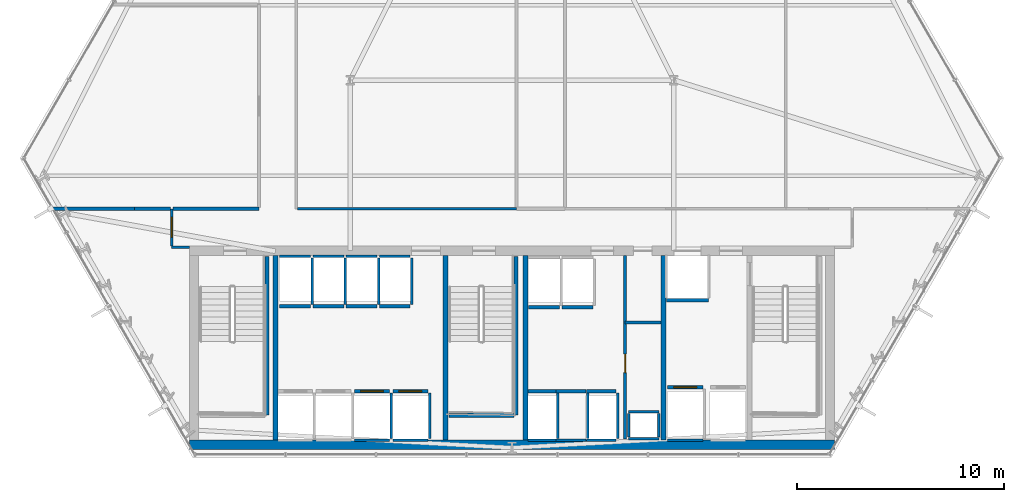
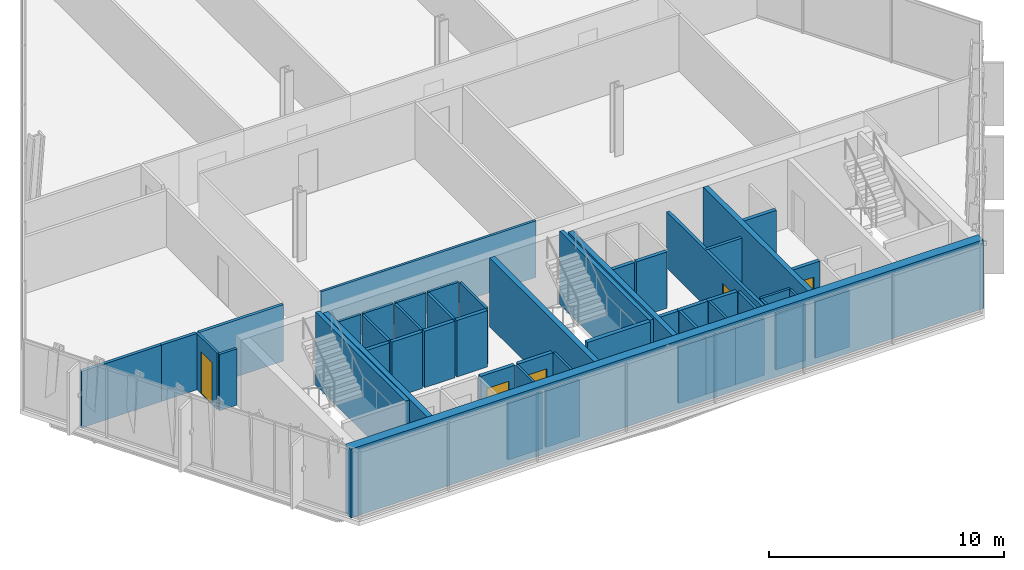
# One storey, part 27 of 33: 52 walls, 5 doors, 5 openings.
"""IFC4 building model written with IfcOpenShell, lengths in metres."""

import ifcopenshell
import ifcopenshell.guid

model = None  # the IFC model being written
_history = None  # IfcOwnerHistory: only IFC2X3 demands one
_inside = {}  # id of a spatial element -> (the spatial element, [elements in it])
_under = {}  # id of a project, library or spatial element -> (it, [spatial elements below it])
_declared = {}  # id of a project -> (the project, [libraries it declares])
_typed = {}  # id of a type object -> (the type object, [elements of that type])
_made_of = {}  # id of a material, layer set ... -> (it, [elements and type objects made of it])


def new_model(schema):
    """Start an empty IFC model of exactly this schema.

    Asked for "IFC4X3", IfcOpenShell would pick the latest addendum, in which some entities
    have other attributes; the version numbers below select the first issue.
    IFC2X3 requires an IfcOwnerHistory on every rooted entity: one is made here for all.
    """
    global model, _history
    if schema == "IFC4X3":
        model = ifcopenshell.file(schema_version=(4, 3, 0, 0))
    else:
        model = ifcopenshell.file(schema=schema)
    _inside.clear()
    _under.clear()
    _declared.clear()
    _typed.clear()
    _made_of.clear()
    _history = None
    if model.schema == "IFC2X3":
        org = make("IfcOrganization", Name="unknown")
        user = make(
            "IfcPersonAndOrganization",
            ThePerson=make("IfcPerson", FamilyName="unknown"),
            TheOrganization=org,
        )
        app = make(
            "IfcApplication",
            ApplicationDeveloper=org,
            Version="unknown",
            ApplicationFullName="unknown",
            ApplicationIdentifier="unknown",
        )
        _history = make(
            "IfcOwnerHistory",
            OwningUser=user,
            OwningApplication=app,
            ChangeAction="ADDED",
            CreationDate=0,
        )
    return model


def make(cls, **values):
    """One entity of the class cls with the attributes given. An attribute that is None is left unset."""
    return model.create_entity(
        cls, **{name: value for name, value in values.items() if value is not None}
    )


def rooted(cls, **values):
    """An entity with a GlobalId (a new one), such as an element, a storey or a relation."""
    return make(cls, GlobalId=ifcopenshell.guid.new(), OwnerHistory=_history, **values)


def si_unit(unit_type, name, prefix=None):
    """IfcSIUnit, for example si_unit("LENGTHUNIT", "METRE", prefix="MILLI")."""
    return make("IfcSIUnit", UnitType=unit_type, Prefix=prefix, Name=name)


def assignment(units):
    """IfcUnitAssignment: the units of a project."""
    return None if units is None else make("IfcUnitAssignment", Units=units)


def point(xyz):
    """IfcCartesianPoint."""
    return None if xyz is None else make("IfcCartesianPoint", Coordinates=xyz)


def direction(xyz):
    """IfcDirection."""
    return None if xyz is None else make("IfcDirection", DirectionRatios=xyz)


def frame(location, z_axis=None, x_axis=None):
    """IfcAxis2Placement3D, a coordinate frame: its origin and axes. An axis left out is left unset."""
    return make(
        "IfcAxis2Placement3D",
        Location=point(location),
        Axis=direction(z_axis),
        RefDirection=direction(x_axis),
    )


def frame_2d(location, x_axis=None):
    """IfcAxis2Placement2D, a coordinate frame in the plane: its origin and x axis."""
    return make(
        "IfcAxis2Placement2D", Location=point(location), RefDirection=direction(x_axis)
    )


def origin():
    """The frame at (0, 0, 0) with its axes left unset."""
    return frame((0.0, 0.0, 0.0))


def place(relative_to, where):
    """IfcLocalPlacement: puts the frame where relative to a parent placement (None: the world)."""
    return make(
        "IfcLocalPlacement", PlacementRelTo=relative_to, RelativePlacement=where
    )


def context(
    kind, dimensions, precision=None, world=None, true_north=None, identifier=None
):
    """IfcGeometricRepresentationContext, for example the 3D "Model" context."""
    return make(
        "IfcGeometricRepresentationContext",
        ContextIdentifier=identifier,
        ContextType=kind,
        CoordinateSpaceDimension=dimensions,
        Precision=precision,
        WorldCoordinateSystem=world,
        TrueNorth=true_north,
    )


def subcontext(parent, identifier, kind, view, scale=None):
    """IfcGeometricRepresentationSubContext, for example "Body" below "Model"."""
    return make(
        "IfcGeometricRepresentationSubContext",
        ContextIdentifier=identifier,
        ContextType=kind,
        ParentContext=parent,
        TargetScale=scale,
        TargetView=view,
    )


def project(units=None, contexts=None):
    """IfcProject with its units and contexts."""
    return rooted(
        "IfcProject",
        Name="project",
        RepresentationContexts=contexts,
        UnitsInContext=assignment(units),
    )


def spatial(cls, under=None, at=None, **own):
    """A site, building, storey or space (cls), placed at a placement, below another one or the project."""
    s = rooted(cls, ObjectPlacement=at, **own)
    if under is not None:
        _under.setdefault(under.id(), (under, []))[1].append(s)
    return s


def profile(cls, at=None, kind="AREA", **sizes):
    """A parametric profile (cls). Its sizes go by their IFC names, for example OverallWidth=200.0."""
    return make(cls, ProfileType=kind, Position=at, **sizes)


def rectangle(**sizes):
    """IfcRectangleProfileDef."""
    return profile("IfcRectangleProfileDef", **sizes)


def extrude(swept, where, along, depth):
    """IfcExtrudedAreaSolid: the profile swept, set in the frame where, extruded along a direction by depth."""
    return make(
        "IfcExtrudedAreaSolid",
        SweptArea=swept,
        Position=where,
        ExtrudedDirection=direction(along),
        Depth=depth,
    )


def shape(context_of_items, identifier, shape_type, items):
    """IfcShapeRepresentation: the items that make up one representation, for example the "Body"."""
    return make(
        "IfcShapeRepresentation",
        ContextOfItems=context_of_items,
        RepresentationIdentifier=identifier,
        RepresentationType=shape_type,
        Items=items,
    )


def material(Name=None, Category=None):
    """IfcMaterial."""
    return make("IfcMaterial", Name=Name, Category=Category)


def layer(
    of_material, thickness, ventilated=None, Name=None, Category=None, Priority=None
):
    """IfcMaterialLayer: one layer of a wall or slab, of a material (None: an air gap)."""
    return make(
        "IfcMaterialLayer",
        Material=of_material,
        LayerThickness=thickness,
        IsVentilated=ventilated,
        Name=Name,
        Category=Category,
        Priority=Priority,
    )


def layer_set(layers, Name=None):
    """IfcMaterialLayerSet."""
    return make("IfcMaterialLayerSet", MaterialLayers=layers, LayerSetName=Name)


def made_of(thing, what):
    """Note that an element or type object is made of a material, layer set ...; save() writes the relation."""
    if what is not None:
        _made_of.setdefault(what.id(), (what, []))[1].append(thing)
    return thing


def type_object(cls, material=None, **own):
    """A type object (cls), such as IfcWallType, which elements share."""
    return made_of(rooted(cls, **own), material)


def element(
    cls,
    number,
    at=None,
    inside=None,
    cuts=None,
    type_object=None,
    material=None,
    context=None,
    identifier="Body",
    shape_type=None,
    held_by="IfcProductDefinitionShape",
    body=None,
    shapes=None,
    **own,
):
    """One element of the class cls, such as IfcWall. Its Tag is "e" and its number.

    at: its placement. inside: the storey or other place that contains it. cuts: it is an
    opening in that element (IfcRelVoidsElement). A single representation is given by context,
    identifier, shape_type and body (its items); several are given by shapes. held_by: the class
    of the entity that holds the representations. save() writes the other relations.
    """
    e = rooted(cls, Tag="e%d" % number, ObjectPlacement=at, **own)
    if body is not None:
        shapes = [shape(context, identifier, shape_type, body)]
    if shapes is not None:
        e.Representation = make(held_by, Representations=shapes)
    if inside is not None:
        _inside.setdefault(inside.id(), (inside, []))[1].append(e)
    if cuts is not None:
        rooted(
            "IfcRelVoidsElement", RelatingBuildingElement=cuts, RelatedOpeningElement=e
        )
    if type_object is not None:
        _typed.setdefault(type_object.id(), (type_object, []))[1].append(e)
    return made_of(e, material)


def fill(opening, filler):
    """IfcRelFillsElement: the door or window that sits in an opening."""
    return rooted(
        "IfcRelFillsElement",
        RelatingOpeningElement=opening,
        RelatedBuildingElement=filler,
    )


def aggregate(whole, parts):
    """IfcRelAggregates: a whole, such as a stair, and the parts it consists of."""
    return rooted("IfcRelAggregates", RelatingObject=whole, RelatedObjects=parts)


def save(model, path):
    """Write the relations noted so far, then the file.

    IfcRelAggregates (storeys below a building ...), IfcRelContainedInSpatialStructure (elements
    in a storey), IfcRelDefinesByType, IfcRelAssociatesMaterial and IfcRelDeclares: one each for
    every whole, place, type object, material and project.
    """
    for whole, parts in _under.values():
        aggregate(whole, parts)
    for where, things in _inside.values():
        rooted(
            "IfcRelContainedInSpatialStructure",
            RelatedElements=things,
            RelatingStructure=where,
        )
    for kind, things in _typed.values():
        rooted("IfcRelDefinesByType", RelatedObjects=things, RelatingType=kind)
    for what, things in _made_of.values():
        rooted("IfcRelAssociatesMaterial", RelatedObjects=things, RelatingMaterial=what)
    for by, libraries in _declared.values():
        rooted("IfcRelDeclares", RelatingContext=by, RelatedDefinitions=libraries)
    model.write(path)


model = new_model("IFC4")

# Units and contexts
model_context = context("Model", 3, precision=1e-05, world=origin(), true_north=direction((0.0, 1.0)))
body_context = subcontext(model_context, "Body", "Model", "MODEL_VIEW")
ifc_project = project(units=[si_unit("LENGTHUNIT", "METRE"), si_unit("AREAUNIT", "SQUARE_METRE"), si_unit("VOLUMEUNIT", "CUBIC_METRE"), si_unit("PLANEANGLEUNIT", "RADIAN"), si_unit("MASSUNIT", "GRAM", prefix="KILO")], contexts=[model_context])

# Site, building, storey
site_placement = place(None, origin())
site = spatial("IfcSite", under=ifc_project, at=site_placement, CompositionType="ELEMENT")
building_placement = place(site_placement, origin())
building = spatial("IfcBuilding", under=site, at=building_placement, Name="Ndaravel Arena Tower", CompositionType="ELEMENT")
storey_placement = place(building_placement, frame((0.0, 0.0, 43.60009765625)))
storey = spatial("IfcBuildingStorey", under=building, at=storey_placement, Name="L08", CompositionType="ELEMENT", Elevation=43.60009765625)

# Wall, opening, door
ifc_material_1 = material(Name="Gypsum", Category="gypsum")
ifc_layer_1 = layer(ifc_material_1, 0.14990234375)
ifc_layer_set_1 = layer_set([ifc_layer_1], Name="Gypsum")
wall_type_1 = type_object("IfcWallType", Name="WALL-COMP-150", PredefinedType="PARTITIONING", material=ifc_layer_set_1)
wall_1_placement = place(storey_placement, frame((47.449951171875, 5.89990234375, 0.0), z_axis=(0.0, 0.0, 1.0), x_axis=(0.0, 1.0, 0.0)))
wall_1 = element("IfcWall", 1, at=wall_1_placement, inside=storey, type_object=wall_type_1, Name="L08 Core Riser Bay Partition", PredefinedType="PARTITIONING", context=body_context, shape_type="SweptSolid", body=[
    extrude(rectangle(XDim=8.85009765625, YDim=0.14990234375, at=frame_2d((4.425048828125, 0.0))), origin(), (0.0, 0.0, 1.0), 2.9326171875),
])
opening_1_placement = place(wall_1_placement, frame((3.199951171875, 0.0, 0.0)))
opening_1 = element("IfcOpeningElement", 2, at=opening_1_placement, cuts=wall_1, Name="Opening RD-01", PredefinedType="OPENING", context=body_context, shape_type="SweptSolid", body=[
    extrude(rectangle(XDim=0.89990234375, YDim=2.10009765625, at=frame_2d((0.449951171875, 1.050048828125))), frame((0.0, 0.074951171875, 0.0), z_axis=(0.0, -1.0, 0.0), x_axis=(1.0, 0.0, 0.0)), (0.0, 0.0, 1.0), 0.14990234375),
])
ifc_material_2 = material(Name="Steel S355", Category="steel")
door_type_1 = type_object("IfcDoorType", Name="DT-08-RISER-900", OperationType="SINGLE_SWING_LEFT", PredefinedType="DOOR", material=ifc_material_2)
door_1_placement = place(opening_1_placement, origin())
door_1 = element("IfcDoor", 3, at=door_1_placement, inside=storey, type_object=door_type_1, Name="L08 Sub-Metering Closet Door", OperationType="SINGLE_SWING_LEFT", OverallHeight=2.10009765625, OverallWidth=0.89990234375, PredefinedType="DOOR", context=body_context, shape_type="SweptSolid", body=[
    extrude(rectangle(XDim=0.89990234375, YDim=2.10009765625, at=frame_2d((0.449951171875, 1.050048828125))), frame((0.0, 0.02490234375, 0.0), z_axis=(0.0, -1.0, 0.0), x_axis=(1.0, 0.0, 0.0)), (0.0, 0.0, 1.0), 0.050048828125),
])
fill(opening_1, door_1)

# Walls
wall_2_placement = place(storey_placement, frame((47.449951171875, 11.52001953125, 0.0), z_axis=(0.0, 0.0, 1.0), x_axis=(1.0, 0.0, 0.0)))
element("IfcWall", 4, at=wall_2_placement, inside=storey, type_object=wall_type_1, Name="L08 Core Riser Divider 1", PredefinedType="PARTITIONING", context=body_context, shape_type="SweptSolid", body=[
    extrude(rectangle(XDim=1.72998046875, YDim=0.14990234375, at=frame_2d((0.864990234375, 0.0))), origin(), (0.0, 0.0, 1.0), 2.9326171875),
])
ifc_material_3 = material(Name="Concrete C60/75", Category="concrete")
ifc_layer_2 = layer(ifc_material_3, 0.25)
ifc_layer_set_2 = layer_set([ifc_layer_2], Name="Concrete C60/75")
wall_type_2 = type_object("IfcWallType", Name="WALL-CORE-250", PredefinedType="SOLIDWALL", material=ifc_layer_set_2)
for number, where, z_axis, x_axis, name in (
    (5, (30.60009765625, 5.85009765625, 0.0), (0.0, 0.0, 1.0), (0.0, 1.0, 0.0), "L08 Core Web Shear Wall 1"),
    (6, (38.800048828125, 5.85009765625, 0.0), (0.0, 0.0, 1.0), (0.0, 1.0, 0.0), "L08 Core Web Shear Wall 2"),
    (7, (42.64990234375, 5.85009765625, 0.0), (0.0, 0.0, 1.0), (0.0, 1.0, 0.0), "L08 Core Web Shear Wall 3"),
    (8, (49.300048828125, 5.85009765625, 0.0), (0.0, 0.0, 1.0), (0.0, 1.0, 0.0), "L08 Core Web Shear Wall 4"),
):
    element("IfcWall", number, at=place(storey_placement, frame(where, z_axis=z_axis, x_axis=x_axis)), inside=storey, type_object=wall_type_2, Name=name, PredefinedType="SOLIDWALL", context=body_context, shape_type="SweptSolid", body=[
        extrude(rectangle(XDim=8.89990234375, YDim=0.25, at=frame_2d((4.449951171875, 0.0))), origin(), (0.0, 0.0, 1.0), 3.579833984375),
    ])
ifc_material_4 = material(Name="Concrete C60/75", Category="concrete")
ifc_layer_3 = layer(ifc_material_4, 0.449951171875)
ifc_layer_set_3 = layer_set([ifc_layer_3], Name="Concrete C60/75")
wall_type_3 = type_object("IfcWallType", Name="WALL-CORE-450", PredefinedType="SOLIDWALL", material=ifc_layer_set_3)
wall_3_placement = place(storey_placement, frame((26.449951171875, 5.625, 0.0), z_axis=(0.0, 0.0, 1.0), x_axis=(1.0, 0.0, 0.0)))
element("IfcWall", 9, at=wall_3_placement, inside=storey, type_object=wall_type_3, Name="L08 Core South Shear Wall", PredefinedType="SOLIDWALL", context=body_context, shape_type="SweptSolid", body=[
    extrude(rectangle(XDim=31.10009765625, YDim=0.449951171875, at=frame_2d((15.550048828125, 0.0))), origin(), (0.0, 0.0, 1.0), 3.579833984375),
])
ifc_material_5 = material(Name="Gypsum", Category="gypsum")
ifc_layer_4 = layer(ifc_material_5, 0.125)
ifc_layer_set_4 = layer_set([ifc_layer_4], Name="Gypsum")
wall_type_4 = type_object("IfcWallType", Name="WALL-PART-125", PredefinedType="PARTITIONING", material=ifc_layer_set_4)
wall_4_placement = place(storey_placement, frame((26.449951171875, 15.14990234375, 0.0), z_axis=(0.0, 0.0, 1.0), x_axis=(-1.0, 0.0, 0.0)))
element("IfcWall", 10, at=wall_4_placement, inside=storey, type_object=wall_type_4, Name="L08 Interior Partition 003", PredefinedType="PARTITIONING", context=body_context, shape_type="SweptSolid", body=[
    extrude(rectangle(XDim=0.849853515625, YDim=0.125, at=frame_2d((0.4248046875, 0.0))), origin(), (0.0, 0.0, 1.0), 2.9326171875),
])

# Wall, opening, door
wall_5_placement = place(storey_placement, frame((25.60009765625, 15.215087890625, 0.0), z_axis=(0.0, 0.0, 1.0), x_axis=(0.0, 1.0, 0.0)))
wall_5 = element("IfcWall", 11, at=wall_5_placement, inside=storey, type_object=wall_type_4, Name="L08 Interior Partition 004", PredefinedType="PARTITIONING", context=body_context, shape_type="SweptSolid", body=[
    extrude(rectangle(XDim=1.784912109375, YDim=0.125, at=frame_2d((0.892578125, 0.0))), origin(), (0.0, 0.0, 1.0), 2.9326171875),
])
opening_2_placement = place(wall_5_placement, frame((0.41748046875, 0.0, 0.0)))
opening_2 = element("IfcOpeningElement", 12, at=opening_2_placement, cuts=wall_5, Name="Opening ID-01", PredefinedType="OPENING", context=body_context, shape_type="SweptSolid", body=[
    extrude(rectangle(XDim=0.949951171875, YDim=2.199951171875, at=frame_2d((0.47509765625, 1.10009765625))), frame((0.0, 0.0625, 0.0), z_axis=(0.0, -1.0, 0.0), x_axis=(1.0, 0.0, 0.0)), (0.0, 0.0, 1.0), 0.125),
])
ifc_material_6 = material(Name="Timber", Category="wood")
door_type_2 = type_object("IfcDoorType", Name="DT-03-OFFICE-950", OperationType="SINGLE_SWING_LEFT", PredefinedType="DOOR", material=ifc_material_6)
door_2_placement = place(opening_2_placement, origin())
door_2 = element("IfcDoor", 13, at=door_2_placement, inside=storey, type_object=door_type_2, Name="L08 Open Plan Workplace Door", OperationType="SINGLE_SWING_LEFT", OverallHeight=2.199951171875, OverallWidth=0.949951171875, PredefinedType="DOOR", context=body_context, shape_type="SweptSolid", body=[
    extrude(rectangle(XDim=0.949951171875, YDim=2.199951171875, at=frame_2d((0.47509765625, 1.10009765625))), frame((0.0, 0.02490234375, 0.0), z_axis=(0.0, -1.0, 0.0), x_axis=(1.0, 0.0, 0.0)), (0.0, 0.0, 1.0), 0.050048828125),
])
fill(opening_2, door_2)

# Walls
wall_6_placement = place(storey_placement, frame((31.6650390625, 17.0, 0.0), z_axis=(0.0, 0.0, 1.0), x_axis=(1.0, 0.0, 0.0)))
element("IfcWall", 14, at=wall_6_placement, inside=storey, type_object=wall_type_4, Name="L08 Interior Partition 018", PredefinedType="PARTITIONING", context=body_context, shape_type="SweptSolid", body=[
    extrude(rectangle(XDim=10.554931640625, YDim=0.125, at=frame_2d((5.27734375, 0.0))), origin(), (0.0, 0.0, 1.0), 2.9326171875),
])
ifc_material_7 = material(Name="Concrete C40/50", Category="concrete")
ifc_layer_5 = layer(ifc_material_7, 0.1201171875)
ifc_layer_set_5 = layer_set([ifc_layer_5], Name="Concrete C40/50")
wall_type_5 = type_object("IfcWallType", Name="WALL-SHAFT-120", PredefinedType="SOLIDWALL", material=ifc_layer_set_5)
for number, where, z_axis, x_axis, name in (
    (15, (47.6201171875, 5.919921875, 0.0), (0.0, 0.0, 1.0), (1.0, 0.0, 0.0), "L08 MEP Riser Shaft S Wall"),
    (16, (47.6201171875, 7.219970703125, 0.0), (0.0, 0.0, 1.0), (1.0, 0.0, 0.0), "L08 MEP Riser Shaft N Wall"),
):
    element("IfcWall", number, at=place(storey_placement, frame(where, z_axis=z_axis, x_axis=x_axis)), inside=storey, type_object=wall_type_5, Name=name, PredefinedType="SOLIDWALL", context=body_context, shape_type="SweptSolid", body=[
        extrude(rectangle(XDim=1.4599609375, YDim=0.1201171875, at=frame_2d((0.72998046875, 0.0))), origin(), (0.0, 0.0, 1.0), 2.9326171875),
    ])
for number, where, z_axis, x_axis, name in (
    (17, (47.6201171875, 6.0, 0.0), (0.0, 0.0, 1.0), (0.0, 1.0, 0.0), "L08 MEP Riser Shaft W Wall"),
    (18, (49.080078125, 6.0, 0.0), (0.0, 0.0, 1.0), (0.0, 1.0, 0.0), "L08 MEP Riser Shaft E Wall"),
):
    element("IfcWall", number, at=place(storey_placement, frame(where, z_axis=z_axis, x_axis=x_axis)), inside=storey, type_object=wall_type_5, Name=name, PredefinedType="SOLIDWALL", context=body_context, shape_type="SweptSolid", body=[
        extrude(rectangle(XDim=1.139892578125, YDim=0.1201171875, at=frame_2d((0.56982421875, 0.0))), origin(), (0.0, 0.0, 1.0), 2.9326171875),
    ])
wall_7_placement = place(storey_placement, frame((34.405029296875, 5.840087890625, 0.0), z_axis=(0.0, 0.0, 1.0), x_axis=(1.0, 0.0, 0.0)))
element("IfcWall", 19, at=wall_7_placement, inside=storey, type_object=wall_type_5, Name="L08 PL-L3 Shaft Rear Wall", PredefinedType="SOLIDWALL", context=body_context, shape_type="SweptSolid", body=[
    extrude(rectangle(XDim=1.68994140625, YDim=0.1201171875, at=frame_2d((0.844970703125, 0.0))), origin(), (0.0, 0.0, 1.0), 2.9326171875),
])
wall_8_placement = place(storey_placement, frame((36.175048828125, 5.929931640625, 0.0), z_axis=(0.0, 0.0, 1.0), x_axis=(0.0, 1.0, 0.0)))
element("IfcWall", 20, at=wall_8_placement, inside=storey, type_object=wall_type_5, Name="L08 PL-L3 Shaft Side R Wall", PredefinedType="SOLIDWALL", context=body_context, shape_type="SweptSolid", body=[
    extrude(rectangle(XDim=2.18017578125, YDim=0.1201171875, at=frame_2d((1.090087890625, 0.0))), origin(), (0.0, 0.0, 1.0), 2.9326171875),
])
wall_9_placement = place(storey_placement, frame((36.2548828125, 5.840087890625, 0.0), z_axis=(0.0, 0.0, 1.0), x_axis=(1.0, 0.0, 0.0)))
element("IfcWall", 21, at=wall_9_placement, inside=storey, type_object=wall_type_5, Name="L08 PL-L4 Shaft Rear Wall", PredefinedType="SOLIDWALL", context=body_context, shape_type="SweptSolid", body=[
    extrude(rectangle(XDim=1.690185546875, YDim=0.1201171875, at=frame_2d((0.84521484375, 0.0))), origin(), (0.0, 0.0, 1.0), 2.9326171875),
])
wall_10_placement = place(storey_placement, frame((38.02490234375, 5.929931640625, 0.0), z_axis=(0.0, 0.0, 1.0), x_axis=(0.0, 1.0, 0.0)))
element("IfcWall", 22, at=wall_10_placement, inside=storey, type_object=wall_type_5, Name="L08 PL-L4 Shaft Side R Wall", PredefinedType="SOLIDWALL", context=body_context, shape_type="SweptSolid", body=[
    extrude(rectangle(XDim=2.18017578125, YDim=0.1201171875, at=frame_2d((1.090087890625, 0.0))), origin(), (0.0, 0.0, 1.0), 2.9326171875),
])
wall_11_placement = place(storey_placement, frame((30.804931640625, 14.7099609375, 0.0), z_axis=(0.0, 0.0, 1.0), x_axis=(1.0, 0.0, 0.0)))
element("IfcWall", 23, at=wall_11_placement, inside=storey, type_object=wall_type_5, Name="L08 PL-M1 Shaft Rear Wall", PredefinedType="SOLIDWALL", context=body_context, shape_type="SweptSolid", body=[
    extrude(rectangle(XDim=1.489990234375, YDim=0.1201171875, at=frame_2d((0.7451171875, 0.0))), origin(), (0.0, 0.0, 1.0), 2.9326171875),
])
wall_12_placement = place(storey_placement, frame((32.375, 12.389892578125, 0.0), z_axis=(0.0, 0.0, 1.0), x_axis=(0.0, 1.0, 0.0)))
element("IfcWall", 24, at=wall_12_placement, inside=storey, type_object=wall_type_5, Name="L08 PL-M1 Shaft Side R Wall", PredefinedType="SOLIDWALL", context=body_context, shape_type="SweptSolid", body=[
    extrude(rectangle(XDim=2.230224609375, YDim=0.1201171875, at=frame_2d((1.115234375, 0.0))), origin(), (0.0, 0.0, 1.0), 2.9326171875),
])
wall_13_placement = place(storey_placement, frame((32.405029296875, 14.7099609375, 0.0), z_axis=(0.0, 0.0, 1.0), x_axis=(1.0, 0.0, 0.0)))
element("IfcWall", 25, at=wall_13_placement, inside=storey, type_object=wall_type_5, Name="L08 PL-M2 Shaft Rear Wall", PredefinedType="SOLIDWALL", context=body_context, shape_type="SweptSolid", body=[
    extrude(rectangle(XDim=1.489990234375, YDim=0.1201171875, at=frame_2d((0.7451171875, 0.0))), origin(), (0.0, 0.0, 1.0), 2.9326171875),
])
wall_14_placement = place(storey_placement, frame((33.97509765625, 12.389892578125, 0.0), z_axis=(0.0, 0.0, 1.0), x_axis=(0.0, 1.0, 0.0)))
element("IfcWall", 26, at=wall_14_placement, inside=storey, type_object=wall_type_5, Name="L08 PL-M2 Shaft Side R Wall", PredefinedType="SOLIDWALL", context=body_context, shape_type="SweptSolid", body=[
    extrude(rectangle(XDim=2.230224609375, YDim=0.1201171875, at=frame_2d((1.115234375, 0.0))), origin(), (0.0, 0.0, 1.0), 2.9326171875),
])
wall_15_placement = place(storey_placement, frame((34.0048828125, 14.7099609375, 0.0), z_axis=(0.0, 0.0, 1.0), x_axis=(1.0, 0.0, 0.0)))
element("IfcWall", 27, at=wall_15_placement, inside=storey, type_object=wall_type_5, Name="L08 PL-M3 Shaft Rear Wall", PredefinedType="SOLIDWALL", context=body_context, shape_type="SweptSolid", body=[
    extrude(rectangle(XDim=1.490234375, YDim=0.1201171875, at=frame_2d((0.7451171875, 0.0))), origin(), (0.0, 0.0, 1.0), 2.9326171875),
])
wall_16_placement = place(storey_placement, frame((35.574951171875, 12.389892578125, 0.0), z_axis=(0.0, 0.0, 1.0), x_axis=(0.0, 1.0, 0.0)))
element("IfcWall", 28, at=wall_16_placement, inside=storey, type_object=wall_type_5, Name="L08 PL-M3 Shaft Side R Wall", PredefinedType="SOLIDWALL", context=body_context, shape_type="SweptSolid", body=[
    extrude(rectangle(XDim=2.230224609375, YDim=0.1201171875, at=frame_2d((1.115234375, 0.0))), origin(), (0.0, 0.0, 1.0), 2.9326171875),
])
wall_17_placement = place(storey_placement, frame((35.60498046875, 14.7099609375, 0.0), z_axis=(0.0, 0.0, 1.0), x_axis=(1.0, 0.0, 0.0)))
element("IfcWall", 29, at=wall_17_placement, inside=storey, type_object=wall_type_5, Name="L08 PL-M4 Shaft Rear Wall", PredefinedType="SOLIDWALL", context=body_context, shape_type="SweptSolid", body=[
    extrude(rectangle(XDim=1.489990234375, YDim=0.1201171875, at=frame_2d((0.7451171875, 0.0))), origin(), (0.0, 0.0, 1.0), 2.9326171875),
])
wall_18_placement = place(storey_placement, frame((37.175048828125, 12.389892578125, 0.0), z_axis=(0.0, 0.0, 1.0), x_axis=(0.0, 1.0, 0.0)))
element("IfcWall", 30, at=wall_18_placement, inside=storey, type_object=wall_type_5, Name="L08 PL-M4 Shaft Side R Wall", PredefinedType="SOLIDWALL", context=body_context, shape_type="SweptSolid", body=[
    extrude(rectangle(XDim=2.230224609375, YDim=0.1201171875, at=frame_2d((1.115234375, 0.0))), origin(), (0.0, 0.0, 1.0), 2.9326171875),
])
wall_19_placement = place(storey_placement, frame((42.780029296875, 5.840087890625, 0.0), z_axis=(0.0, 0.0, 1.0), x_axis=(1.0, 0.0, 0.0)))
element("IfcWall", 31, at=wall_19_placement, inside=storey, type_object=wall_type_5, Name="L08 PL-H1 Shaft Rear Wall", PredefinedType="SOLIDWALL", context=body_context, shape_type="SweptSolid", body=[
    extrude(rectangle(XDim=1.340087890625, YDim=0.1201171875, at=frame_2d((0.669921875, 0.0))), origin(), (0.0, 0.0, 1.0), 2.9326171875),
])
wall_20_placement = place(storey_placement, frame((44.199951171875, 5.929931640625, 0.0), z_axis=(0.0, 0.0, 1.0), x_axis=(0.0, 1.0, 0.0)))
element("IfcWall", 32, at=wall_20_placement, inside=storey, type_object=wall_type_5, Name="L08 PL-H1 Shaft Side R Wall", PredefinedType="SOLIDWALL", context=body_context, shape_type="SweptSolid", body=[
    extrude(rectangle(XDim=2.18017578125, YDim=0.1201171875, at=frame_2d((1.090087890625, 0.0))), origin(), (0.0, 0.0, 1.0), 2.9326171875),
])
wall_21_placement = place(storey_placement, frame((44.1298828125, 5.840087890625, 0.0), z_axis=(0.0, 0.0, 1.0), x_axis=(1.0, 0.0, 0.0)))
element("IfcWall", 33, at=wall_21_placement, inside=storey, type_object=wall_type_5, Name="L08 PL-H2 Shaft Rear Wall", PredefinedType="SOLIDWALL", context=body_context, shape_type="SweptSolid", body=[
    extrude(rectangle(XDim=1.440185546875, YDim=0.1201171875, at=frame_2d((0.72021484375, 0.0))), origin(), (0.0, 0.0, 1.0), 2.9326171875),
])
wall_22_placement = place(storey_placement, frame((45.64990234375, 5.929931640625, 0.0), z_axis=(0.0, 0.0, 1.0), x_axis=(0.0, 1.0, 0.0)))
element("IfcWall", 34, at=wall_22_placement, inside=storey, type_object=wall_type_5, Name="L08 PL-H2 Shaft Side R Wall", PredefinedType="SOLIDWALL", context=body_context, shape_type="SweptSolid", body=[
    extrude(rectangle(XDim=2.18017578125, YDim=0.1201171875, at=frame_2d((1.090087890625, 0.0))), origin(), (0.0, 0.0, 1.0), 2.9326171875),
])
wall_23_placement = place(storey_placement, frame((45.580078125, 5.840087890625, 0.0), z_axis=(0.0, 0.0, 1.0), x_axis=(1.0, 0.0, 0.0)))
element("IfcWall", 35, at=wall_23_placement, inside=storey, type_object=wall_type_5, Name="L08 PL-H3 Shaft Rear Wall", PredefinedType="SOLIDWALL", context=body_context, shape_type="SweptSolid", body=[
    extrude(rectangle(XDim=1.43994140625, YDim=0.1201171875, at=frame_2d((0.719970703125, 0.0))), origin(), (0.0, 0.0, 1.0), 2.9326171875),
])
wall_24_placement = place(storey_placement, frame((47.10009765625, 5.929931640625, 0.0), z_axis=(0.0, 0.0, 1.0), x_axis=(0.0, 1.0, 0.0)))
element("IfcWall", 36, at=wall_24_placement, inside=storey, type_object=wall_type_5, Name="L08 PL-H3 Shaft Side R Wall", PredefinedType="SOLIDWALL", context=body_context, shape_type="SweptSolid", body=[
    extrude(rectangle(XDim=2.18017578125, YDim=0.1201171875, at=frame_2d((1.090087890625, 0.0))), origin(), (0.0, 0.0, 1.0), 2.9326171875),
])
wall_25_placement = place(storey_placement, frame((49.5048828125, 5.840087890625, 0.0), z_axis=(0.0, 0.0, 1.0), x_axis=(1.0, 0.0, 0.0)))
element("IfcWall", 37, at=wall_25_placement, inside=storey, type_object=wall_type_5, Name="L08 FFL-1 Shaft Rear Wall", PredefinedType="SOLIDWALL", context=body_context, shape_type="SweptSolid", body=[
    extrude(rectangle(XDim=1.690185546875, YDim=0.1201171875, at=frame_2d((0.84521484375, 0.0))), origin(), (0.0, 0.0, 1.0), 2.9326171875),
])
ifc_material_8 = material(Name="Concrete C40/50", Category="concrete")
ifc_layer_6 = layer(ifc_material_8, 0.199951171875)
ifc_layer_set_6 = layer_set([ifc_layer_6], Name="Concrete C40/50")
wall_type_6 = type_object("IfcWallType", Name="WALL-SHAFT-200", PredefinedType="SOLIDWALL", material=ifc_layer_set_6)
for number, where, z_axis, x_axis, name in (
    (38, (30.18994140625, 14.699951171875, 0.0), (0.0, 0.0, 1.0), (0.0, -1.0, 0.0), "L08 ST-1 Structural Shaft Wall Right"),
    (39, (42.18994140625, 14.699951171875, 0.0), (0.0, 0.0, 1.0), (0.0, -1.0, 0.0), "L08 ST-2 Structural Shaft Wall Right"),
):
    element("IfcWall", number, at=place(storey_placement, frame(where, z_axis=z_axis, x_axis=x_axis)), inside=storey, type_object=wall_type_6, Name=name, PredefinedType="SOLIDWALL", context=body_context, shape_type="SweptSolid", body=[
        extrude(rectangle(XDim=7.64990234375, YDim=0.199951171875, at=frame_2d((3.824951171875, 0.0))), origin(), (0.0, 0.0, 1.0), 3.7998046875),
    ])
wall_26_placement = place(storey_placement, frame((38.969970703125, 7.050048828125, 0.0), z_axis=(0.0, 0.0, 1.0), x_axis=(1.0, 0.0, 0.0)))
element("IfcWall", 40, at=wall_26_placement, inside=storey, type_object=wall_type_6, Name="L08 ST-2 Structural Shaft Wall Far", PredefinedType="SOLIDWALL", context=body_context, shape_type="SweptSolid", body=[
    extrude(rectangle(XDim=3.114990234375, YDim=0.199951171875, at=frame_2d((1.5576171875, 0.0))), origin(), (0.0, 0.0, 1.0), 3.7998046875),
])

# Wall, opening, door
wall_27_placement = place(storey_placement, frame((34.405029296875, 8.199951171875, 0.0), z_axis=(0.0, 0.0, 1.0), x_axis=(1.0, 0.0, 0.0)))
wall_27 = element("IfcWall", 41, at=wall_27_placement, inside=storey, type_object=wall_type_6, Name="L08 PL-L3 Shaft Landing Wall", PredefinedType="SOLIDWALL", context=body_context, shape_type="SweptSolid", body=[
    extrude(rectangle(XDim=1.68994140625, YDim=0.179931640625, at=frame_2d((0.844970703125, 0.0))), origin(), (0.0, 0.0, 1.0), 2.9326171875),
])
opening_3_placement = place(wall_27_placement, frame((0.294921875, 0.0, 0.0)))
opening_3 = element("IfcOpeningElement", 42, at=opening_3_placement, cuts=wall_27, Name="Opening LD-01", PredefinedType="OPENING", context=body_context, shape_type="SweptSolid", body=[
    extrude(rectangle(XDim=1.10009765625, YDim=2.199951171875, at=frame_2d((0.550048828125, 1.10009765625))), frame((0.0, 0.08984375, 0.0), z_axis=(0.0, -1.0, 0.0), x_axis=(1.0, 0.0, 0.0)), (0.0, 0.0, 1.0), 0.179931640625),
])
ifc_material_9 = material(Name="Steel S355", Category="steel")
door_type_3 = type_object("IfcDoorType", Name="DT-06-LIFT-1100", OperationType="SLIDING_TO_LEFT", PredefinedType="DOOR", material=ifc_material_9)
door_3_placement = place(opening_3_placement, origin())
door_3 = element("IfcDoor", 43, at=door_3_placement, inside=storey, type_object=door_type_3, Name="L08 Lift PL-L3 Sliding Landing Door", OperationType="SLIDING_TO_LEFT", OverallHeight=2.199951171875, OverallWidth=1.10009765625, PredefinedType="DOOR", context=body_context, shape_type="SweptSolid", body=[
    extrude(rectangle(XDim=1.10009765625, YDim=2.199951171875, at=frame_2d((0.550048828125, 1.10009765625))), frame((0.0, 0.02490234375, 0.0), z_axis=(0.0, -1.0, 0.0), x_axis=(1.0, 0.0, 0.0)), (0.0, 0.0, 1.0), 0.050048828125),
])
fill(opening_3, door_3)

wall_28_placement = place(storey_placement, frame((36.2548828125, 8.199951171875, 0.0), z_axis=(0.0, 0.0, 1.0), x_axis=(1.0, 0.0, 0.0)))
wall_28 = element("IfcWall", 44, at=wall_28_placement, inside=storey, type_object=wall_type_6, Name="L08 PL-L4 Shaft Landing Wall", PredefinedType="SOLIDWALL", context=body_context, shape_type="SweptSolid", body=[
    extrude(rectangle(XDim=1.690185546875, YDim=0.179931640625, at=frame_2d((0.84521484375, 0.0))), origin(), (0.0, 0.0, 1.0), 2.9326171875),
])
opening_4_placement = place(wall_28_placement, frame((0.294921875, 0.0, 0.0)))
opening_4 = element("IfcOpeningElement", 45, at=opening_4_placement, cuts=wall_28, Name="Opening LD-01", PredefinedType="OPENING", context=body_context, shape_type="SweptSolid", body=[
    extrude(rectangle(XDim=1.10009765625, YDim=2.199951171875, at=frame_2d((0.550048828125, 1.10009765625))), frame((0.0, 0.08984375, 0.0), z_axis=(0.0, -1.0, 0.0), x_axis=(1.0, 0.0, 0.0)), (0.0, 0.0, 1.0), 0.179931640625),
])
door_4_placement = place(opening_4_placement, origin())
door_4 = element("IfcDoor", 46, at=door_4_placement, inside=storey, type_object=door_type_3, Name="L08 Lift PL-L4 Sliding Landing Door", OperationType="SLIDING_TO_LEFT", OverallHeight=2.199951171875, OverallWidth=1.10009765625, PredefinedType="DOOR", context=body_context, shape_type="SweptSolid", body=[
    extrude(rectangle(XDim=1.10009765625, YDim=2.199951171875, at=frame_2d((0.550048828125, 1.10009765625))), frame((0.0, 0.02490234375, 0.0), z_axis=(0.0, -1.0, 0.0), x_axis=(1.0, 0.0, 0.0)), (0.0, 0.0, 1.0), 0.050048828125),
])
fill(opening_4, door_4)

# Walls
for number, where, z_axis, x_axis, name in (
    (47, (30.804931640625, 12.300048828125, 0.0), (0.0, 0.0, 1.0), (1.0, 0.0, 0.0), "L08 PL-M1 Shaft Landing Wall"),
    (48, (32.405029296875, 12.300048828125, 0.0), (0.0, 0.0, 1.0), (1.0, 0.0, 0.0), "L08 PL-M2 Shaft Landing Wall"),
):
    element("IfcWall", number, at=place(storey_placement, frame(where, z_axis=z_axis, x_axis=x_axis)), inside=storey, type_object=wall_type_6, Name=name, PredefinedType="SOLIDWALL", context=body_context, shape_type="SweptSolid", body=[
        extrude(rectangle(XDim=1.489990234375, YDim=0.179931640625, at=frame_2d((0.7451171875, 0.0))), origin(), (0.0, 0.0, 1.0), 2.9326171875),
    ])
wall_29_placement = place(storey_placement, frame((34.0048828125, 12.300048828125, 0.0), z_axis=(0.0, 0.0, 1.0), x_axis=(1.0, 0.0, 0.0)))
element("IfcWall", 49, at=wall_29_placement, inside=storey, type_object=wall_type_6, Name="L08 PL-M3 Shaft Landing Wall", PredefinedType="SOLIDWALL", context=body_context, shape_type="SweptSolid", body=[
    extrude(rectangle(XDim=1.490234375, YDim=0.179931640625, at=frame_2d((0.7451171875, 0.0))), origin(), (0.0, 0.0, 1.0), 2.9326171875),
])
wall_30_placement = place(storey_placement, frame((35.60498046875, 12.300048828125, 0.0), z_axis=(0.0, 0.0, 1.0), x_axis=(1.0, 0.0, 0.0)))
element("IfcWall", 50, at=wall_30_placement, inside=storey, type_object=wall_type_6, Name="L08 PL-M4 Shaft Landing Wall", PredefinedType="SOLIDWALL", context=body_context, shape_type="SweptSolid", body=[
    extrude(rectangle(XDim=1.489990234375, YDim=0.179931640625, at=frame_2d((0.7451171875, 0.0))), origin(), (0.0, 0.0, 1.0), 2.9326171875),
])
wall_31_placement = place(storey_placement, frame((42.780029296875, 8.199951171875, 0.0), z_axis=(0.0, 0.0, 1.0), x_axis=(1.0, 0.0, 0.0)))
element("IfcWall", 51, at=wall_31_placement, inside=storey, type_object=wall_type_6, Name="L08 PL-H1 Shaft Landing Wall", PredefinedType="SOLIDWALL", context=body_context, shape_type="SweptSolid", body=[
    extrude(rectangle(XDim=1.340087890625, YDim=0.179931640625, at=frame_2d((0.669921875, 0.0))), origin(), (0.0, 0.0, 1.0), 2.9326171875),
])
wall_32_placement = place(storey_placement, frame((44.1298828125, 8.199951171875, 0.0), z_axis=(0.0, 0.0, 1.0), x_axis=(1.0, 0.0, 0.0)))
element("IfcWall", 52, at=wall_32_placement, inside=storey, type_object=wall_type_6, Name="L08 PL-H2 Shaft Landing Wall", PredefinedType="SOLIDWALL", context=body_context, shape_type="SweptSolid", body=[
    extrude(rectangle(XDim=1.440185546875, YDim=0.179931640625, at=frame_2d((0.72021484375, 0.0))), origin(), (0.0, 0.0, 1.0), 2.9326171875),
])
wall_33_placement = place(storey_placement, frame((45.580078125, 8.199951171875, 0.0), z_axis=(0.0, 0.0, 1.0), x_axis=(1.0, 0.0, 0.0)))
element("IfcWall", 53, at=wall_33_placement, inside=storey, type_object=wall_type_6, Name="L08 PL-H3 Shaft Landing Wall", PredefinedType="SOLIDWALL", context=body_context, shape_type="SweptSolid", body=[
    extrude(rectangle(XDim=1.43994140625, YDim=0.179931640625, at=frame_2d((0.719970703125, 0.0))), origin(), (0.0, 0.0, 1.0), 2.9326171875),
])
for number, where, z_axis, x_axis, name in (
    (54, (42.804931640625, 12.25, 0.0), (0.0, 0.0, 1.0), (1.0, 0.0, 0.0), "L08 PL-OBS1 Shaft Landing Wall"),
    (55, (44.405029296875, 12.25, 0.0), (0.0, 0.0, 1.0), (1.0, 0.0, 0.0), "L08 PL-OBS2 Shaft Landing Wall"),
):
    element("IfcWall", number, at=place(storey_placement, frame(where, z_axis=z_axis, x_axis=x_axis)), inside=storey, type_object=wall_type_6, Name=name, PredefinedType="SOLIDWALL", context=body_context, shape_type="SweptSolid", body=[
        extrude(rectangle(XDim=1.489990234375, YDim=0.179931640625, at=frame_2d((0.7451171875, 0.0))), origin(), (0.0, 0.0, 1.0), 2.9326171875),
    ])

# Wall, opening, door
wall_34_placement = place(storey_placement, frame((49.5048828125, 8.39990234375, 0.0), z_axis=(0.0, 0.0, 1.0), x_axis=(1.0, 0.0, 0.0)))
wall_34 = element("IfcWall", 56, at=wall_34_placement, inside=storey, type_object=wall_type_6, Name="L08 FFL-1 Shaft Landing Wall", PredefinedType="SOLIDWALL", context=body_context, shape_type="SweptSolid", body=[
    extrude(rectangle(XDim=1.690185546875, YDim=0.179931640625, at=frame_2d((0.84521484375, 0.0))), origin(), (0.0, 0.0, 1.0), 2.9326171875),
])
opening_5_placement = place(wall_34_placement, frame((0.294921875, 0.0, 0.0)))
opening_5 = element("IfcOpeningElement", 57, at=opening_5_placement, cuts=wall_34, Name="Opening LD-01", PredefinedType="OPENING", context=body_context, shape_type="SweptSolid", body=[
    extrude(rectangle(XDim=1.10009765625, YDim=2.199951171875, at=frame_2d((0.550048828125, 1.10009765625))), frame((0.0, 0.08984375, 0.0), z_axis=(0.0, -1.0, 0.0), x_axis=(1.0, 0.0, 0.0)), (0.0, 0.0, 1.0), 0.179931640625),
])
door_5_placement = place(opening_5_placement, origin())
door_5 = element("IfcDoor", 58, at=door_5_placement, inside=storey, type_object=door_type_3, Name="L08 Lift FFL-1 Sliding Landing Door", OperationType="SLIDING_TO_LEFT", OverallHeight=2.199951171875, OverallWidth=1.10009765625, PredefinedType="DOOR", context=body_context, shape_type="SweptSolid", body=[
    extrude(rectangle(XDim=1.10009765625, YDim=2.199951171875, at=frame_2d((0.550048828125, 1.10009765625))), frame((0.0, 0.02490234375, 0.0), z_axis=(0.0, -1.0, 0.0), x_axis=(1.0, 0.0, 0.0)), (0.0, 0.0, 1.0), 0.050048828125),
])
fill(opening_5, door_5)

# Walls
wall_35_placement = place(storey_placement, frame((49.43994140625, 12.594970703125, 0.0), z_axis=(0.0, 0.0, 1.0), x_axis=(1.0, 0.0, 0.0)))
element("IfcWall", 59, at=wall_35_placement, inside=storey, type_object=wall_type_6, Name="L08 SVL-1 Shaft South Wall", PredefinedType="SOLIDWALL", context=body_context, shape_type="SweptSolid", body=[
    extrude(rectangle(XDim=2.0400390625, YDim=0.179931640625, at=frame_2d((1.02001953125, 0.0))), origin(), (0.0, 0.0, 1.0), 2.9326171875),
])
ifc_material_10 = material(Name="Masonry", Category="masonry")
ifc_layer_7 = layer(ifc_material_10, 0.14990234375)
ifc_layer_set_7 = layer_set([ifc_layer_7], Name="Masonry")
wall_type_7 = type_object("IfcWallType", Name="WALL-WET-150", PredefinedType="PARTITIONING", material=ifc_layer_set_7)
wall_36_placement = place(storey_placement, frame((25.6650390625, 17.0, 0.0), z_axis=(0.0, 0.0, 1.0), x_axis=(1.0, 0.0, 0.0)))
element("IfcWall", 60, at=wall_36_placement, inside=storey, type_object=wall_type_7, Name="L08 Interior Partition 005", PredefinedType="PARTITIONING", context=body_context, shape_type="SweptSolid", body=[
    extrude(rectangle(XDim=4.135009765625, YDim=0.14990234375, at=frame_2d((2.0673828125, 0.0))), origin(), (0.0, 0.0, 1.0), 2.9326171875),
])
wall_37_placement = place(storey_placement, frame((19.8759765625, 17.0, 0.0), z_axis=(0.0, 0.0, 1.0), x_axis=(1.0, 0.0, 0.0)))
element("IfcWall", 61, at=wall_37_placement, inside=storey, type_object=wall_type_7, Name="L08 Interior Partition 022", PredefinedType="PARTITIONING", context=body_context, shape_type="SweptSolid", body=[
    extrude(rectangle(XDim=3.924072265625, YDim=0.14990234375, at=frame_2d((1.9619140625, 0.0))), origin(), (0.0, 0.0, 1.0), 2.9326171875),
])
wall_38_placement = place(storey_placement, frame((23.800048828125, 17.0, 0.0), z_axis=(0.0, 0.0, 1.0), x_axis=(1.0, 0.0, 0.0)))
element("IfcWall", 62, at=wall_38_placement, inside=storey, type_object=wall_type_7, Name="L08 Interior Partition 023", PredefinedType="PARTITIONING", context=body_context, shape_type="SweptSolid", body=[
    extrude(rectangle(XDim=1.73486328125, YDim=0.14990234375, at=frame_2d((0.867431640625, 0.0))), origin(), (0.0, 0.0, 1.0), 2.9326171875),
])

save(model, "model.ifc")
